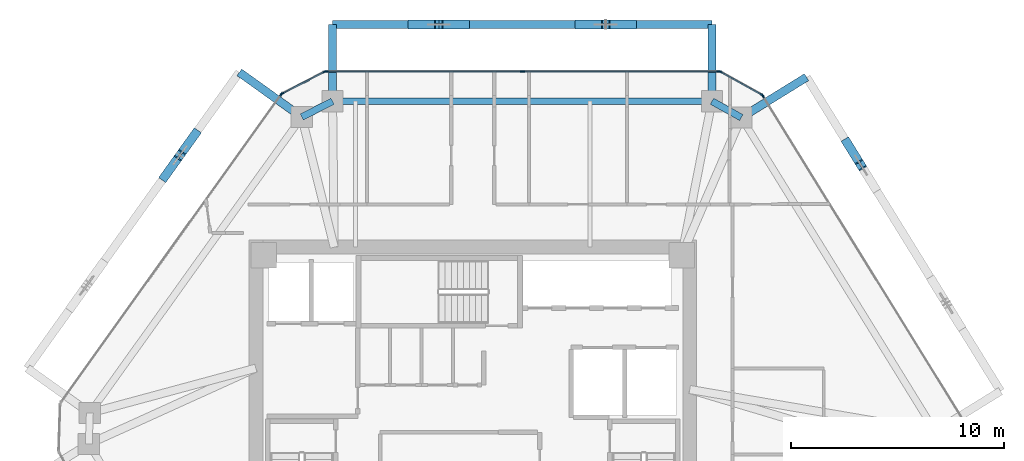
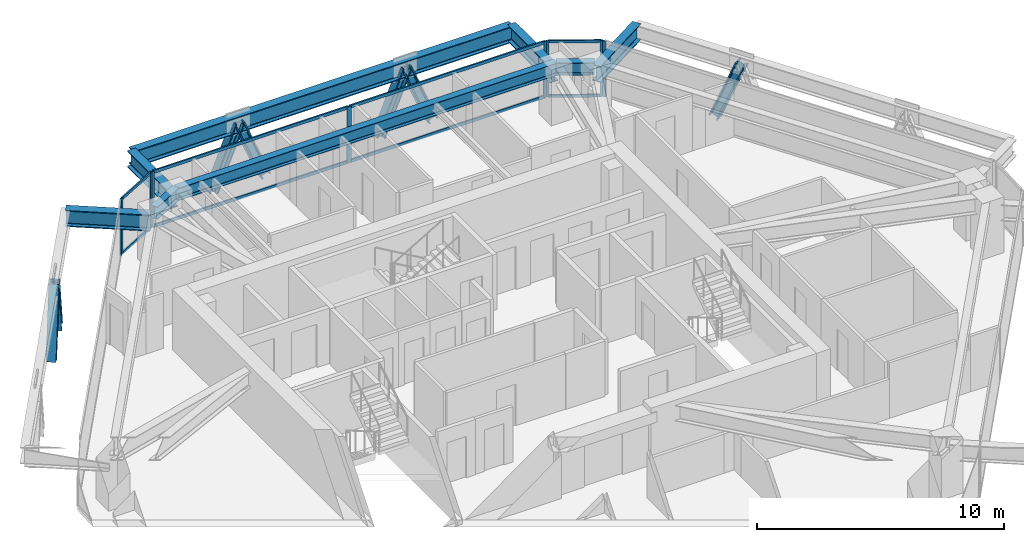
# One storey, part 6 of 15: 24 members, 8 beams, 5 elements without a shape of their own.
"""IFC4 building model written with IfcOpenShell, lengths in metres."""

from ifc_helpers import new_model, si_unit, direction, frame, origin, origin_2d, place, context, subcontext, project, spatial, rectangle, i_section, extrude, source, transform, mapped, material, layer, layer_set, material_profile, profile_set, type_object, type_shapes, element, aggregate, save


model = new_model("IFC4")

# Units and contexts
model_context = context("Model", 3, precision=1e-05, world=origin(), true_north=direction((0.0, 1.0)))
body_context = subcontext(model_context, "Body", "Model", "MODEL_VIEW")
ifc_project = project(units=[si_unit("LENGTHUNIT", "METRE"), si_unit("AREAUNIT", "SQUARE_METRE"), si_unit("VOLUMEUNIT", "CUBIC_METRE"), si_unit("PLANEANGLEUNIT", "RADIAN"), si_unit("MASSUNIT", "GRAM", prefix="KILO")], contexts=[model_context])

# Site, building, storey
site_placement = place(None, origin())
site = spatial("IfcSite", under=ifc_project, at=site_placement, CompositionType="ELEMENT")
building_placement = place(site_placement, origin())
building = spatial("IfcBuilding", under=site, at=building_placement, Name="Durnholm Broadcast Tower", CompositionType="ELEMENT")
storey_placement = place(building_placement, frame((0.0, 0.0, 206.199951171875)))
storey = spatial("IfcBuildingStorey", under=building, at=storey_placement, Name="L57", CompositionType="ELEMENT", Elevation=206.199951171875)

# Beams
ifc_material_1 = material(Name="Steel ASTM A992 Grade 50", Category="steel")
ifc_material_profile_1 = material_profile(ifc_material_1, i_section(OverallWidth=0.385009765625, OverallDepth=0.802978515625, WebThickness=0.023681640625, FlangeThickness=0.0419921875, FilletRadius=0.032958984375, at=origin_2d()), Name="W30X261")
ifc_profile_set_1 = profile_set([ifc_material_profile_1], Name="Steel ASTM A992 Grade 50")
beam_type_1 = type_object("IfcBeamType", Name="BM-EXO-TIE", PredefinedType="USERDEFINED", material=ifc_profile_set_1)
shared_shape_1 = source(origin(), body_context, "Body", "SweptSolid", [
    extrude(i_section(OverallWidth=0.385009765625, OverallDepth=0.802978515625, WebThickness=0.023681640625, FlangeThickness=0.0419921875, FilletRadius=0.032958984375, at=origin_2d()), origin(), (0.0, 0.0, 1.0), 3.4560546875),
])
for number, where, z_axis, x_axis, name in (
    (1, (12.713134765625, 14.327880859375, 2.008544921875), (0.850662348375, 0.525712439512, 0.0), (-0.525712439512, 0.850662348375, 0.0), "L57 exoskeleton stand-off tie bracket F3.2"),
    (2, (-8.138916015625, 14.360107421875, 2.008544921875), (-0.813079048773, 0.582153296346, 0.0), (-0.582153296346, -0.813079048773, 0.0), "L57 exoskeleton stand-off tie bracket F5.1"),
):
    element("IfcBeam", number, at=place(storey_placement, frame(where, z_axis=z_axis, x_axis=x_axis)), inside=storey, type_object=beam_type_1, Name=name, ObjectType="GIRDER", PredefinedType="USERDEFINED", context=body_context, shape_type="MappedRepresentation", body=[
        mapped(shared_shape_1, transform((0.0, 0.0, 0.0), x_axis=(1.0, 0.0, 0.0), y_axis=(0.0, 1.0, 0.0), z_axis=(0.0, 0.0, 1.0), scale=1.0)),
    ])
shared_shape_2 = source(origin(), body_context, "Body", "SweptSolid", [
    extrude(i_section(OverallWidth=0.385009765625, OverallDepth=0.802978515625, WebThickness=0.023681640625, FlangeThickness=0.0419921875, FilletRadius=0.032958984375, at=origin_2d()), origin(), (0.0, 0.0, 1.0), 3.455810546875),
])
for number, where, z_axis, x_axis, name in (
    (3, (11.217529296875, 15.162109375, 2.008544921875), (0.0, 1.0, 0.0), (-1.0, 0.0, 0.0), "L57 exoskeleton stand-off tie bracket F4.1"),
    (4, (-6.57861328125, 15.162109375, 2.008544921875), (0.0, 1.0, 0.0), (-1.0, 0.0, 0.0), "L57 exoskeleton stand-off tie bracket F4.2"),
):
    element("IfcBeam", number, at=place(storey_placement, frame(where, z_axis=z_axis, x_axis=x_axis)), inside=storey, type_object=beam_type_1, Name=name, ObjectType="GIRDER", PredefinedType="USERDEFINED", context=body_context, shape_type="MappedRepresentation", body=[
        mapped(shared_shape_2, transform((0.0, 0.0, 0.0), x_axis=(1.0, 0.0, 0.0), y_axis=(0.0, 1.0, 0.0), z_axis=(0.0, 0.0, 1.0), scale=1.0)),
    ])
ifc_material_profile_2 = material_profile(ifc_material_1, i_section(OverallWidth=0.3251953125, OverallDepth=0.6162109375, WebThickness=0.013916015625, FlangeThickness=0.021484375, FilletRadius=0.02783203125, at=origin_2d()), Name="W24X117")
ifc_profile_set_2 = profile_set([ifc_material_profile_2], Name="Steel ASTM A992 Grade 50")
beam_type_2 = type_object("IfcBeamType", Name="STL-SP-W24X117", PredefinedType="SPANDREL", material=ifc_profile_set_2)
shared_shape_3 = source(origin(), body_context, "Body", "SweptSolid", [
    extrude(i_section(OverallWidth=0.3251953125, OverallDepth=0.6162109375, WebThickness=0.013916015625, FlangeThickness=0.021484375, FilletRadius=0.02783203125, at=origin_2d()), origin(), (0.0, 0.0, 1.0), 1.62255859375),
])
beam_1_placement = place(storey_placement, frame((-8.021728515625, 14.2763671875, 2.43701171875), z_axis=(0.889406668864, 0.45711680934, 0.0), x_axis=(-0.45711680934, 0.889406668864, 0.0)))
element("IfcBeam", 5, at=beam_1_placement, inside=storey, type_object=beam_type_2, Name="L57 perimeter spandrel girder 04", PredefinedType="SPANDREL", context=body_context, shape_type="MappedRepresentation", body=[
    mapped(shared_shape_3, transform((0.0, 0.0, 0.0), x_axis=(1.0, 0.0, 0.0), y_axis=(0.0, 1.0, 0.0), z_axis=(0.0, 0.0, 1.0), scale=1.0)),
])
shared_shape_4 = source(origin(), body_context, "Body", "SweptSolid", [
    extrude(i_section(OverallWidth=0.3251953125, OverallDepth=0.6162109375, WebThickness=0.013916015625, FlangeThickness=0.021484375, FilletRadius=0.02783203125, at=origin_2d()), origin(), (0.0, 0.0, 1.0), 17.796142578125),
])
beam_2_placement = place(storey_placement, frame((-6.57861328125, 15.01806640625, 2.43701171875), z_axis=(1.0, 0.0, 0.0), x_axis=(0.0, 1.0, 0.0)))
element("IfcBeam", 6, at=beam_2_placement, inside=storey, type_object=beam_type_2, Name="L57 perimeter spandrel girder 05", PredefinedType="SPANDREL", context=body_context, shape_type="MappedRepresentation", body=[
    mapped(shared_shape_4, transform((0.0, 0.0, 0.0), x_axis=(1.0, 0.0, 0.0), y_axis=(0.0, 1.0, 0.0), z_axis=(0.0, 0.0, 1.0), scale=1.0)),
])
shared_shape_5 = source(origin(), body_context, "Body", "SweptSolid", [
    extrude(i_section(OverallWidth=0.3251953125, OverallDepth=0.6162109375, WebThickness=0.013916015625, FlangeThickness=0.021484375, FilletRadius=0.02783203125, at=origin_2d()), origin(), (0.0, 0.0, 1.0), 1.572509765625),
])
type_shapes(beam_type_2, [shared_shape_3, shared_shape_4, shared_shape_5])
beam_3_placement = place(storey_placement, frame((11.217529296875, 15.01806640625, 2.43701171875), z_axis=(0.873365144476, -0.487066037017, 0.0), x_axis=(0.487066037017, 0.873365144476, 0.0)))
element("IfcBeam", 7, at=beam_3_placement, inside=storey, type_object=beam_type_2, Name="L57 perimeter spandrel girder 06", PredefinedType="SPANDREL", context=body_context, shape_type="MappedRepresentation", body=[
    mapped(shared_shape_5, transform((0.0, 0.0, 0.0), x_axis=(1.0, 0.0, 0.0), y_axis=(0.0, 1.0, 0.0), z_axis=(0.0, 0.0, 1.0), scale=1.0)),
])
shared_shape_6 = source(origin(), body_context, "Body", "SweptSolid", [
    extrude(i_section(OverallWidth=0.385009765625, OverallDepth=0.802978515625, WebThickness=0.023681640625, FlangeThickness=0.0419921875, FilletRadius=0.032958984375, at=origin_2d()), origin(), (0.0, 0.0, 1.0), 17.796142578125),
])
type_shapes(beam_type_1, [shared_shape_1, shared_shape_2, shared_shape_6])
beam_4_placement = place(storey_placement, frame((11.217529296875, 18.617919921875, 2.008544921875), z_axis=(-1.0, 0.0, 0.0), x_axis=(0.0, -1.0, 0.0)))
element("IfcBeam", 8, at=beam_4_placement, inside=storey, type_object=beam_type_1, Name="L57 exoskeleton collector spandrel F4", PredefinedType="SPANDREL", context=body_context, shape_type="MappedRepresentation", body=[
    mapped(shared_shape_6, transform((0.0, 0.0, 0.0), x_axis=(1.0, 0.0, 0.0), y_axis=(0.0, 1.0, 0.0), z_axis=(0.0, 0.0, 1.0), scale=1.0)),
])

# Members
ifc_material_2 = material(Name="Steel ASTM A913 Grade 65", Category="steel")
ifc_material_profile_3 = material_profile(ifc_material_2, i_section(OverallWidth=0.412109375, OverallDepth=0.434814453125, WebThickness=0.035888671875, FlangeThickness=0.057373046875, FilletRadius=0.030517578125, at=origin_2d()), Name="W14X311")
ifc_profile_set_3 = profile_set([ifc_material_profile_3], Name="Steel ASTM A913 Grade 65")
member_type_1 = type_object("IfcMemberType", Name="STL-DG-W14X311", PredefinedType="BRACE", material=ifc_profile_set_3)
shared_shape_7 = source(origin(), body_context, "Body", "SweptSolid", [
    extrude(i_section(OverallWidth=0.412109375, OverallDepth=0.434814453125, WebThickness=0.035888671875, FlangeThickness=0.057373046875, FilletRadius=0.030517578125, at=origin_2d()), origin(), (0.0, 0.0, 1.0), 3.243896484375),
])
type_shapes(member_type_1, [shared_shape_7])
for number, where, z_axis, x_axis, name in (
    (9, (17.551513671875, 13.072998046875, -0.991455078125), (0.199969768525, -0.323624390162, 0.924813141001), (0.850699125742, 0.525652924906, 0.0), "L57 stand-off diagrid brace F3.D2.2"),
    (10, (7.468505859375, 18.617919921875, -0.991455078125), (-0.380378804119, 0.0, 0.924830776616), (0.0, -1.0, 0.0), "L57 stand-off diagrid brace F4.D1.1"),
    (11, (5.000732421875, 18.617919921875, -0.991455078125), (0.380378804119, 0.0, 0.924830776616), (0.0, 1.0, 0.0), "L57 stand-off diagrid brace F4.D1.2"),
    (12, (-0.36181640625, 18.617919921875, -0.991455078125), (-0.380378804119, 0.0, 0.924830776616), (0.0, -1.0, 0.0), "L57 stand-off diagrid brace F4.D2.1"),
    (13, (-2.82958984375, 18.617919921875, -0.991455078125), (0.380378804119, 0.0, 0.924830776616), (0.0, 1.0, 0.0), "L57 stand-off diagrid brace F4.D2.2"),
    (14, (-13.013427734375, 13.48876953125, -0.991455078125), (-0.22142581661, -0.309258558956, 0.92484039242), (0.813077820009, -0.582155012526, 0.0), "L57 stand-off diagrid brace F5.D1.1"),
    (15, (-14.449951171875, 11.482421875, -0.991455078125), (0.22142581661, 0.309258558956, 0.92484039242), (-0.813077820009, 0.582155012526, 0.0), "L57 stand-off diagrid brace F5.D1.2"),
):
    element("IfcMember", number, at=place(storey_placement, frame(where, z_axis=z_axis, x_axis=x_axis)), inside=storey, type_object=member_type_1, Name=name, PredefinedType="BRACE", context=body_context, shape_type="MappedRepresentation", body=[
        mapped(shared_shape_7, transform((0.0, 0.0, 0.0), x_axis=(1.0, 0.0, 0.0), y_axis=(0.0, 1.0, 0.0), z_axis=(0.0, 0.0, 1.0), scale=1.0)),
    ])

# Curtain wall, members
ifc_material_3 = material(Name="Aluminium and Solar Control IGU", Category="aluminium")
ifc_layer_1 = layer(ifc_material_3, 0.1650390625)
ifc_layer_set_1 = layer_set([ifc_layer_1], Name="Aluminium and Solar Control IGU")
curtain_wall_type_1 = type_object("IfcCurtainWallType", Name="CW-SYS-5", PredefinedType="NOTDEFINED", material=ifc_layer_set_1)
curtain_wall_1_placement = place(storey_placement, origin())
curtain_wall_1 = element("IfcCurtainWall", 16, at=curtain_wall_1_placement, inside=storey, type_object=curtain_wall_type_1, Name="L57 curtain wall CW-CORNER CW-L57-CRN-03", PredefinedType="NOTDEFINED")
ifc_material_4 = material(Name="Aluminium 6063-T6", Category="aluminium")
ifc_material_profile_4 = material_profile(ifc_material_4, rectangle(XDim=0.06494140625, YDim=0.1650390625, at=origin_2d()), Name="CWM65X165")
ifc_profile_set_4 = profile_set([ifc_material_profile_4], Name="Aluminium 6063-T6")
member_type_2 = type_object("IfcMemberType", Name="CW-SYS-5-MUL", PredefinedType="MULLION", material=ifc_profile_set_4)
shared_shape_8 = source(origin(), body_context, "Body", "SweptSolid", [
    extrude(rectangle(XDim=0.06494140625, YDim=0.1650390625, at=origin_2d()), origin(), (0.0, 0.0, 1.0), 2.760009765625),
])
type_shapes(member_type_2, [shared_shape_8])
member_1_placement = place(storey_placement, frame((-8.93408203125, 15.381591796875, 0.0), z_axis=(0.0, 0.0, 1.0), x_axis=(-0.457081764476, 0.889424679545, 0.0)))
member_1 = element("IfcMember", 17, at=member_1_placement, type_object=member_type_2, Name="CW-CORNER mullion 1", PredefinedType="MULLION", context=body_context, shape_type="MappedRepresentation", body=[
    mapped(shared_shape_8, transform((0.0, 0.0, 0.0), x_axis=(1.0, 0.0, 0.0), y_axis=(0.0, 1.0, 0.0), z_axis=(0.0, 0.0, 1.0), scale=1.0)),
])
member_2_placement = place(storey_placement, frame((-6.9462890625, 16.403076171875, 0.0), z_axis=(0.0, 0.0, 1.0), x_axis=(-0.457081764476, 0.889424679545, 0.0)))
member_2 = element("IfcMember", 18, at=member_2_placement, type_object=member_type_2, Name="CW-CORNER mullion 2", PredefinedType="MULLION", context=body_context, shape_type="MappedRepresentation", body=[
    mapped(shared_shape_8, transform((0.0, 0.0, 0.0), x_axis=(1.0, 0.0, 0.0), y_axis=(0.0, 1.0, 0.0), z_axis=(0.0, 0.0, 1.0), scale=1.0)),
])

curtain_wall_2_placement = place(storey_placement, origin())
curtain_wall_2 = element("IfcCurtainWall", 19, at=curtain_wall_2_placement, inside=storey, type_object=curtain_wall_type_1, Name="L57 curtain wall CW-CORNER CW-L57-CRN-05", PredefinedType="NOTDEFINED")
member_3_placement = place(storey_placement, frame((11.60986328125, 16.402099609375, 0.0), z_axis=(0.0, 0.0, 1.0), x_axis=(0.486986043316, 0.873409751271, 0.0)))
member_3 = element("IfcMember", 20, at=member_3_placement, type_object=member_type_2, Name="CW-CORNER mullion 1", PredefinedType="MULLION", context=body_context, shape_type="MappedRepresentation", body=[
    mapped(shared_shape_8, transform((0.0, 0.0, 0.0), x_axis=(1.0, 0.0, 0.0), y_axis=(0.0, 1.0, 0.0), z_axis=(0.0, 0.0, 1.0), scale=1.0)),
])
member_4_placement = place(storey_placement, frame((13.56201171875, 15.313720703125, 0.0), z_axis=(0.0, 0.0, 1.0), x_axis=(0.486986043316, 0.873409751271, 0.0)))
member_4 = element("IfcMember", 21, at=member_4_placement, type_object=member_type_2, Name="CW-CORNER mullion 2", PredefinedType="MULLION", context=body_context, shape_type="MappedRepresentation", body=[
    mapped(shared_shape_8, transform((0.0, 0.0, 0.0), x_axis=(1.0, 0.0, 0.0), y_axis=(0.0, 1.0, 0.0), z_axis=(0.0, 0.0, 1.0), scale=1.0)),
])

# Member
ifc_material_profile_5 = material_profile(ifc_material_4, rectangle(XDim=0.06494140625, YDim=0.1298828125, at=origin_2d()), Name="CWT65X130")
ifc_profile_set_5 = profile_set([ifc_material_profile_5], Name="Aluminium 6063-T6")
member_type_3 = type_object("IfcMemberType", Name="CW-SYS-5-TRN", PredefinedType="USERDEFINED", material=ifc_profile_set_5)
shared_shape_9 = source(origin(), body_context, "Body", "SweptSolid", [
    extrude(rectangle(XDim=0.06494140625, YDim=0.1298828125, at=origin_2d()), origin(), (0.0, 0.0, 1.0), 2.169921875),
])
type_shapes(member_type_3, [shared_shape_9])
member_5_placement = place(storey_placement, frame((-8.9052734375, 15.396484375, 0.032470703125), z_axis=(0.889468148591, 0.456997169185, 0.0), x_axis=(-0.456997169185, 0.889468148591, 0.0)))
member_5 = element("IfcMember", 22, at=member_5_placement, type_object=member_type_3, Name="CW-CORNER transom 1.1", ObjectType="TRANSOM", PredefinedType="USERDEFINED", context=body_context, shape_type="MappedRepresentation", body=[
    mapped(shared_shape_9, transform((0.0, 0.0, 0.0), x_axis=(1.0, 0.0, 0.0), y_axis=(0.0, 1.0, 0.0), z_axis=(0.0, 0.0, 1.0), scale=1.0)),
])

member_6_placement = place(storey_placement, frame((-8.9052734375, 15.396484375, 2.7275390625), z_axis=(0.889468148591, 0.456997169185, 0.0), x_axis=(-0.456997169185, 0.889468148591, 0.0)))
member_6 = element("IfcMember", 23, at=member_6_placement, type_object=member_type_3, Name="CW-CORNER transom 1.2", ObjectType="TRANSOM", PredefinedType="USERDEFINED", context=body_context, shape_type="MappedRepresentation", body=[
    mapped(shared_shape_9, transform((0.0, 0.0, 0.0), x_axis=(1.0, 0.0, 0.0), y_axis=(0.0, 1.0, 0.0), z_axis=(0.0, 0.0, 1.0), scale=1.0)),
])

aggregate(curtain_wall_1, [member_1, member_2, member_5, member_6])

member_7_placement = place(storey_placement, frame((11.63818359375, 16.38623046875, 0.032470703125), z_axis=(0.873429215361, -0.48695113282, 0.0), x_axis=(0.48695113282, 0.873429215361, 0.0)))
member_7 = element("IfcMember", 24, at=member_7_placement, type_object=member_type_3, Name="CW-CORNER transom 1.1", ObjectType="TRANSOM", PredefinedType="USERDEFINED", context=body_context, shape_type="MappedRepresentation", body=[
    mapped(shared_shape_9, transform((0.0, 0.0, 0.0), x_axis=(1.0, 0.0, 0.0), y_axis=(0.0, 1.0, 0.0), z_axis=(0.0, 0.0, 1.0), scale=1.0)),
])

member_8_placement = place(storey_placement, frame((11.63818359375, 16.38623046875, 2.7275390625), z_axis=(0.873429215361, -0.48695113282, 0.0), x_axis=(0.48695113282, 0.873429215361, 0.0)))
member_8 = element("IfcMember", 25, at=member_8_placement, type_object=member_type_3, Name="CW-CORNER transom 1.2", ObjectType="TRANSOM", PredefinedType="USERDEFINED", context=body_context, shape_type="MappedRepresentation", body=[
    mapped(shared_shape_9, transform((0.0, 0.0, 0.0), x_axis=(1.0, 0.0, 0.0), y_axis=(0.0, 1.0, 0.0), z_axis=(0.0, 0.0, 1.0), scale=1.0)),
])

aggregate(curtain_wall_2, [member_3, member_4, member_7, member_8])

# Curtain wall, members
ifc_layer_2 = layer(ifc_material_3, 0.18994140625)
ifc_layer_set_2 = layer_set([ifc_layer_2], Name="Aluminium and Solar Control IGU")
curtain_wall_type_2 = type_object("IfcCurtainWallType", Name="CW-SYS-4", PredefinedType="NOTDEFINED", material=ifc_layer_set_2)
curtain_wall_3_placement = place(storey_placement, origin())
curtain_wall_3 = element("IfcCurtainWall", 26, at=curtain_wall_3_placement, inside=storey, type_object=curtain_wall_type_2, Name="L57 curtain wall CW-Z34-VIS CW-L57-F04", PredefinedType="NOTDEFINED")
ifc_material_profile_6 = material_profile(ifc_material_4, rectangle(XDim=0.070068359375, YDim=0.14990234375, at=origin_2d()), Name="CWT70X150")
ifc_profile_set_6 = profile_set([ifc_material_profile_6], Name="Aluminium 6063-T6")
member_type_4 = type_object("IfcMemberType", Name="CW-SYS-4-TRN", PredefinedType="USERDEFINED", material=ifc_profile_set_6)
shared_shape_10 = source(origin(), body_context, "Body", "SweptSolid", [
    extrude(rectangle(XDim=0.070068359375, YDim=0.14990234375, at=origin_2d()), origin(), (0.0, 0.0, 1.0), 9.14453125),
])
type_shapes(member_type_4, [shared_shape_10])
member_9_placement = place(storey_placement, frame((-6.847412109375, 16.41796875, 0.03515625), z_axis=(1.0, 0.0, 0.0), x_axis=(0.0, 1.0, 0.0)))
member_9 = element("IfcMember", 27, at=member_9_placement, type_object=member_type_4, Name="CW-Z34-VIS transom 1.1", ObjectType="TRANSOM", PredefinedType="USERDEFINED", context=body_context, shape_type="MappedRepresentation", body=[
    mapped(shared_shape_10, transform((0.0, 0.0, 0.0), x_axis=(1.0, 0.0, 0.0), y_axis=(0.0, 1.0, 0.0), z_axis=(0.0, 0.0, 1.0), scale=1.0)),
])
member_10_placement = place(storey_placement, frame((-6.847412109375, 16.41796875, 2.72509765625), z_axis=(1.0, 0.0, 0.0), x_axis=(0.0, 1.0, 0.0)))
member_10 = element("IfcMember", 28, at=member_10_placement, type_object=member_type_4, Name="CW-Z34-VIS transom 1.2", ObjectType="TRANSOM", PredefinedType="USERDEFINED", context=body_context, shape_type="MappedRepresentation", body=[
    mapped(shared_shape_10, transform((0.0, 0.0, 0.0), x_axis=(1.0, 0.0, 0.0), y_axis=(0.0, 1.0, 0.0), z_axis=(0.0, 0.0, 1.0), scale=1.0)),
])
member_11_placement = place(storey_placement, frame((2.366943359375, 16.41796875, 0.03515625), z_axis=(1.0, 0.0, 0.0), x_axis=(0.0, 1.0, 0.0)))
member_11 = element("IfcMember", 29, at=member_11_placement, type_object=member_type_4, Name="CW-Z34-VIS transom 2.1", ObjectType="TRANSOM", PredefinedType="USERDEFINED", context=body_context, shape_type="MappedRepresentation", body=[
    mapped(shared_shape_10, transform((0.0, 0.0, 0.0), x_axis=(1.0, 0.0, 0.0), y_axis=(0.0, 1.0, 0.0), z_axis=(0.0, 0.0, 1.0), scale=1.0)),
])
member_12_placement = place(storey_placement, frame((2.366943359375, 16.41796875, 2.72509765625), z_axis=(1.0, 0.0, 0.0), x_axis=(0.0, 1.0, 0.0)))
member_12 = element("IfcMember", 30, at=member_12_placement, type_object=member_type_4, Name="CW-Z34-VIS transom 2.2", ObjectType="TRANSOM", PredefinedType="USERDEFINED", context=body_context, shape_type="MappedRepresentation", body=[
    mapped(shared_shape_10, transform((0.0, 0.0, 0.0), x_axis=(1.0, 0.0, 0.0), y_axis=(0.0, 1.0, 0.0), z_axis=(0.0, 0.0, 1.0), scale=1.0)),
])

# Curtain wall, member
curtain_wall_4_placement = place(storey_placement, origin())
curtain_wall_4 = element("IfcCurtainWall", 31, at=curtain_wall_4_placement, inside=storey, type_object=curtain_wall_type_2, Name="L57 curtain wall CW-Z34-VIS CW-L57-F02", PredefinedType="NOTDEFINED")
ifc_material_profile_7 = material_profile(ifc_material_4, rectangle(XDim=0.070068359375, YDim=0.18994140625, at=origin_2d()), Name="CWM70X190")
ifc_profile_set_7 = profile_set([ifc_material_profile_7], Name="Aluminium 6063-T6")
member_type_5 = type_object("IfcMemberType", Name="CW-SYS-4-MUL", PredefinedType="MULLION", material=ifc_profile_set_7)
shared_shape_11 = source(origin(), body_context, "Body", "SweptSolid", [
    extrude(rectangle(XDim=0.070068359375, YDim=0.18994140625, at=origin_2d()), origin(), (0.0, 0.0, 1.0), 2.760009765625),
])
type_shapes(member_type_5, [shared_shape_11])
member_13_placement = place(storey_placement, frame((-8.9833984375, 15.338134765625, 0.0), z_axis=(0.0, 0.0, 1.0), x_axis=(-0.813089262696, 0.582139030549, 0.0)))
member_13 = element("IfcMember", 32, at=member_13_placement, type_object=member_type_5, Name="CW-Z34-VIS mullion 2", PredefinedType="MULLION", context=body_context, shape_type="MappedRepresentation", body=[
    mapped(shared_shape_11, transform((0.0, 0.0, 0.0), x_axis=(1.0, 0.0, 0.0), y_axis=(0.0, 1.0, 0.0), z_axis=(0.0, 0.0, 1.0), scale=1.0)),
])
aggregate(curtain_wall_4, [member_13])

# Member
member_14_placement = place(storey_placement, frame((-6.88232421875, 16.41796875, 0.0), z_axis=(0.0, 0.0, 1.0), x_axis=(0.0, 1.0, 0.0)))
member_14 = element("IfcMember", 33, at=member_14_placement, type_object=member_type_5, Name="CW-Z34-VIS mullion 1", PredefinedType="MULLION", context=body_context, shape_type="MappedRepresentation", body=[
    mapped(shared_shape_11, transform((0.0, 0.0, 0.0), x_axis=(1.0, 0.0, 0.0), y_axis=(0.0, 1.0, 0.0), z_axis=(0.0, 0.0, 1.0), scale=1.0)),
])

member_15_placement = place(storey_placement, frame((2.33203125, 16.41796875, 0.0), z_axis=(0.0, 0.0, 1.0), x_axis=(0.0, 1.0, 0.0)))
member_15 = element("IfcMember", 34, at=member_15_placement, type_object=member_type_5, Name="CW-Z34-VIS mullion 2", PredefinedType="MULLION", context=body_context, shape_type="MappedRepresentation", body=[
    mapped(shared_shape_11, transform((0.0, 0.0, 0.0), x_axis=(1.0, 0.0, 0.0), y_axis=(0.0, 1.0, 0.0), z_axis=(0.0, 0.0, 1.0), scale=1.0)),
])

member_16_placement = place(storey_placement, frame((11.54638671875, 16.41796875, 0.0), z_axis=(0.0, 0.0, 1.0), x_axis=(0.0, 1.0, 0.0)))
member_16 = element("IfcMember", 35, at=member_16_placement, type_object=member_type_5, Name="CW-Z34-VIS mullion 3", PredefinedType="MULLION", context=body_context, shape_type="MappedRepresentation", body=[
    mapped(shared_shape_11, transform((0.0, 0.0, 0.0), x_axis=(1.0, 0.0, 0.0), y_axis=(0.0, 1.0, 0.0), z_axis=(0.0, 0.0, 1.0), scale=1.0)),
])

aggregate(curtain_wall_3, [member_14, member_15, member_16, member_9, member_10, member_11, member_12])

# Curtain wall, member
curtain_wall_5_placement = place(storey_placement, origin())
curtain_wall_5 = element("IfcCurtainWall", 36, at=curtain_wall_5_placement, inside=storey, type_object=curtain_wall_type_2, Name="L57 curtain wall CW-Z34-VIS CW-L57-F06", PredefinedType="NOTDEFINED")
member_17_placement = place(storey_placement, frame((13.608642578125, 15.26806640625, 0.0), z_axis=(0.0, 0.0, 1.0), x_axis=(0.850671426092, 0.525697750452, 0.0)))
member_17 = element("IfcMember", 37, at=member_17_placement, type_object=member_type_5, Name="CW-Z34-VIS mullion 1", PredefinedType="MULLION", context=body_context, shape_type="MappedRepresentation", body=[
    mapped(shared_shape_11, transform((0.0, 0.0, 0.0), x_axis=(1.0, 0.0, 0.0), y_axis=(0.0, 1.0, 0.0), z_axis=(0.0, 0.0, 1.0), scale=1.0)),
])
aggregate(curtain_wall_5, [member_17])

save(model, "model.ifc")
